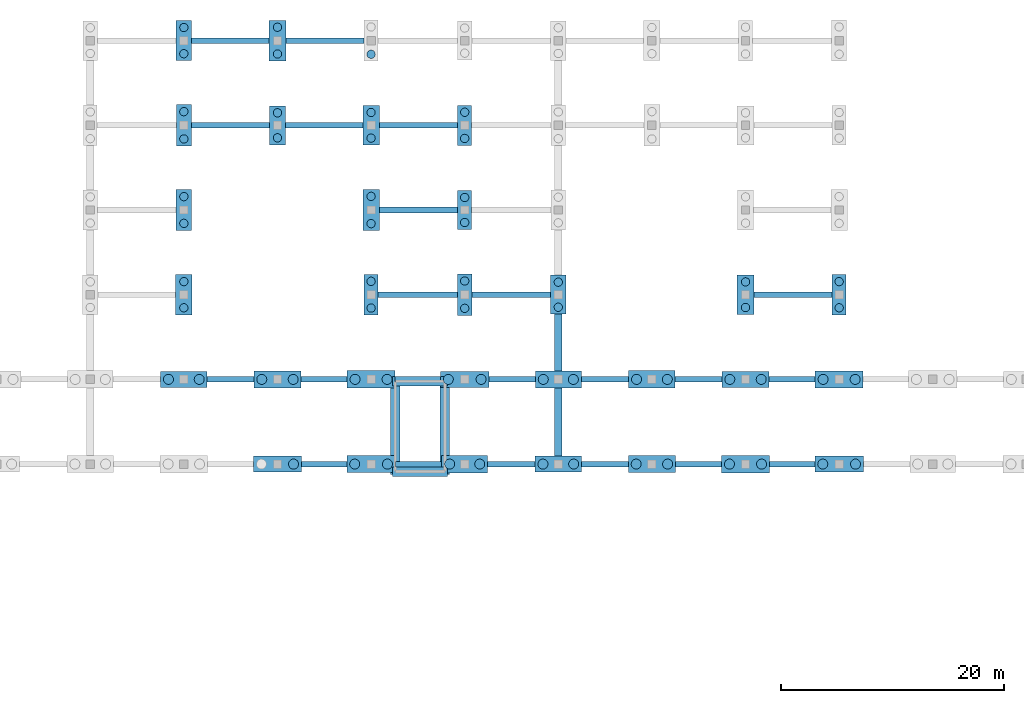
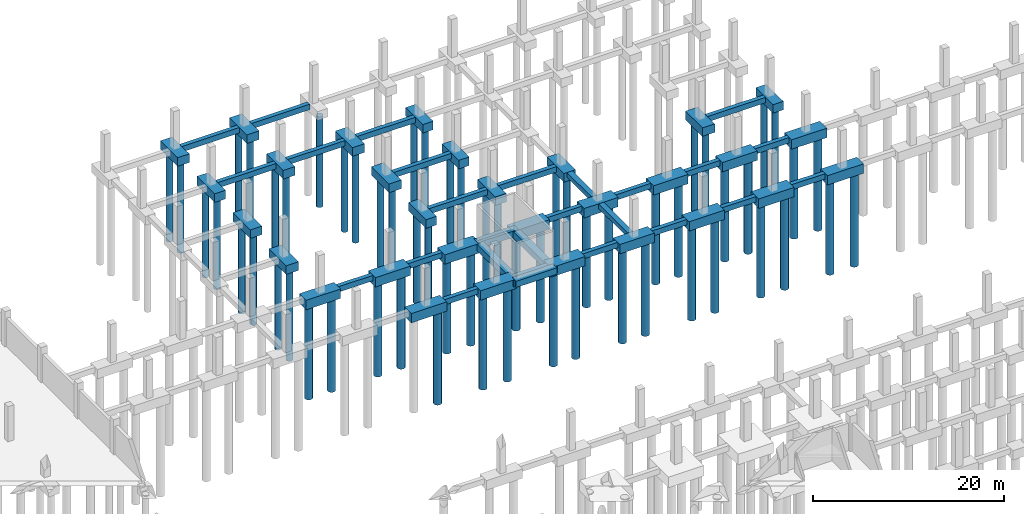
# One storey, part 7 of 22: 60 piles, 58 footings.
"""IFC4 building model written with IfcOpenShell, lengths in metres."""

from ifc_helpers import new_model, si_unit, direction, frame, origin, origin_2d, place, context, subcontext, project, spatial, rectangle, circle, extrude, material, material_profile, profile_set, type_object, element, save


model = new_model("IFC4")

# Units and contexts
model_context = context("Model", 3, precision=1e-05, world=origin(), true_north=direction((0.0, 1.0)))
body_context = subcontext(model_context, "Body", "Model", "MODEL_VIEW")
ifc_project = project(units=[si_unit("LENGTHUNIT", "METRE"), si_unit("AREAUNIT", "SQUARE_METRE"), si_unit("VOLUMEUNIT", "CUBIC_METRE"), si_unit("PLANEANGLEUNIT", "RADIAN"), si_unit("MASSUNIT", "GRAM", prefix="KILO")], contexts=[model_context])

# Site, building, storey
site_placement = place(None, origin())
site = spatial("IfcSite", under=ifc_project, at=site_placement, CompositionType="ELEMENT")
building_placement = place(site_placement, origin())
building = spatial("IfcBuilding", under=site, at=building_placement, Name="Zuvorla Pavilion Media Centre", CompositionType="ELEMENT")
storey_placement = place(building_placement, frame((0.0, 0.0, -4.5)))
storey = spatial("IfcBuildingStorey", under=building, at=storey_placement, Name="B01", CompositionType="ELEMENT", Elevation=-4.5)

# Footings
ifc_material = material(Name="Concrete C40/50", Category="concrete")
footing_type_1 = type_object("IfcFootingType", Name="FT-GB56", PredefinedType="FOOTING_BEAM", material=ifc_material)
footing_1_placement = place(storey_placement, frame((87.784912109375, 82.0, -1.10009765625), z_axis=(0.0, 0.0, 1.0), x_axis=(1.0, 0.0, 0.0)))
element("IfcFooting", 1, at=footing_1_placement, inside=storey, type_object=footing_type_1, Name="Ground beam GB56 136", PredefinedType="FOOTING_BEAM", context=body_context, shape_type="SweptSolid", body=[
    extrude(rectangle(XDim=4.070068359375, YDim=0.5, at=origin_2d()), origin(), (0.0, 0.0, 1.0), 0.699951171875),
])
footing_2_placement = place(storey_placement, frame((96.260009765625, 82.0, -1.10009765625), z_axis=(0.0, 0.0, 1.0), x_axis=(1.0, 0.0, 0.0)))
element("IfcFooting", 2, at=footing_2_placement, inside=storey, type_object=footing_type_1, Name="Ground beam GB56 137", PredefinedType="FOOTING_BEAM", context=body_context, shape_type="SweptSolid", body=[
    extrude(rectangle(XDim=4.159912109375, YDim=0.5, at=origin_2d()), origin(), (0.0, 0.0, 1.0), 0.699951171875),
])
footing_3_placement = place(storey_placement, frame((104.5849609375, 82.0, -1.10009765625), z_axis=(0.0, 0.0, 1.0), x_axis=(1.0, 0.0, 0.0)))
element("IfcFooting", 3, at=footing_3_placement, inside=storey, type_object=footing_type_1, Name="Ground beam GB56 138", PredefinedType="FOOTING_BEAM", context=body_context, shape_type="SweptSolid", body=[
    extrude(rectangle(XDim=4.25, YDim=0.5, at=origin_2d()), origin(), (0.0, 0.0, 1.0), 0.699951171875),
])
footing_4_placement = place(storey_placement, frame((112.985107421875, 82.0, -1.10009765625), z_axis=(0.0, 0.0, 1.0), x_axis=(1.0, 0.0, 0.0)))
element("IfcFooting", 4, at=footing_4_placement, inside=storey, type_object=footing_type_1, Name="Ground beam GB56 139", PredefinedType="FOOTING_BEAM", context=body_context, shape_type="SweptSolid", body=[
    extrude(rectangle(XDim=4.18994140625, YDim=0.5, at=origin_2d()), origin(), (0.0, 0.0, 1.0), 0.699951171875),
])
footing_5_placement = place(storey_placement, frame((121.385009765625, 82.0, -1.10009765625), z_axis=(0.0, 0.0, 1.0), x_axis=(1.0, 0.0, 0.0)))
element("IfcFooting", 5, at=footing_5_placement, inside=storey, type_object=footing_type_1, Name="Ground beam GB56 140", PredefinedType="FOOTING_BEAM", context=body_context, shape_type="SweptSolid", body=[
    extrude(rectangle(XDim=4.1298828125, YDim=0.5, at=origin_2d()), origin(), (0.0, 0.0, 1.0), 0.699951171875),
])
footing_6_placement = place(storey_placement, frame((129.784912109375, 82.0, -1.10009765625), z_axis=(0.0, 0.0, 1.0), x_axis=(1.0, 0.0, 0.0)))
element("IfcFooting", 6, at=footing_6_placement, inside=storey, type_object=footing_type_1, Name="Ground beam GB56 141", PredefinedType="FOOTING_BEAM", context=body_context, shape_type="SweptSolid", body=[
    extrude(rectangle(XDim=4.070068359375, YDim=0.5, at=origin_2d()), origin(), (0.0, 0.0, 1.0), 0.699951171875),
])
footing_7_placement = place(storey_placement, frame((79.385009765625, 89.60009765625, -1.10009765625), z_axis=(0.0, 0.0, 1.0), x_axis=(1.0, 0.0, 0.0)))
element("IfcFooting", 7, at=footing_7_placement, inside=storey, type_object=footing_type_1, Name="Ground beam GB56 153", PredefinedType="FOOTING_BEAM", context=body_context, shape_type="SweptSolid", body=[
    extrude(rectangle(XDim=4.18994140625, YDim=0.5, at=origin_2d()), origin(), (0.0, 0.0, 1.0), 0.699951171875),
])
footing_8_placement = place(storey_placement, frame((87.784912109375, 89.60009765625, -1.10009765625), z_axis=(0.0, 0.0, 1.0), x_axis=(1.0, 0.0, 0.0)))
element("IfcFooting", 8, at=footing_8_placement, inside=storey, type_object=footing_type_1, Name="Ground beam GB56 154", PredefinedType="FOOTING_BEAM", context=body_context, shape_type="SweptSolid", body=[
    extrude(rectangle(XDim=4.1298828125, YDim=0.5, at=origin_2d()), origin(), (0.0, 0.0, 1.0), 0.699951171875),
])
footing_9_placement = place(storey_placement, frame((96.18505859375, 89.60009765625, -1.10009765625), z_axis=(0.0, 0.0, 1.0), x_axis=(1.0, 0.0, 0.0)))
element("IfcFooting", 9, at=footing_9_placement, inside=storey, type_object=footing_type_1, Name="Ground beam GB56 155", PredefinedType="FOOTING_BEAM", context=body_context, shape_type="SweptSolid", body=[
    extrude(rectangle(XDim=4.070068359375, YDim=0.5, at=origin_2d()), origin(), (0.0, 0.0, 1.0), 0.699951171875),
])
footing_10_placement = place(storey_placement, frame((104.659912109375, 89.60009765625, -1.10009765625), z_axis=(0.0, 0.0, 1.0), x_axis=(1.0, 0.0, 0.0)))
element("IfcFooting", 10, at=footing_10_placement, inside=storey, type_object=footing_type_1, Name="Ground beam GB56 156", PredefinedType="FOOTING_BEAM", context=body_context, shape_type="SweptSolid", body=[
    extrude(rectangle(XDim=4.159912109375, YDim=0.5, at=origin_2d()), origin(), (0.0, 0.0, 1.0), 0.699951171875),
])
footing_11_placement = place(storey_placement, frame((112.985107421875, 89.60009765625, -1.10009765625), z_axis=(0.0, 0.0, 1.0), x_axis=(1.0, 0.0, 0.0)))
element("IfcFooting", 11, at=footing_11_placement, inside=storey, type_object=footing_type_1, Name="Ground beam GB56 157", PredefinedType="FOOTING_BEAM", context=body_context, shape_type="SweptSolid", body=[
    extrude(rectangle(XDim=4.25, YDim=0.5, at=origin_2d()), origin(), (0.0, 0.0, 1.0), 0.699951171875),
])
footing_12_placement = place(storey_placement, frame((121.385009765625, 89.60009765625, -1.10009765625), z_axis=(0.0, 0.0, 1.0), x_axis=(1.0, 0.0, 0.0)))
element("IfcFooting", 12, at=footing_12_placement, inside=storey, type_object=footing_type_1, Name="Ground beam GB56 158", PredefinedType="FOOTING_BEAM", context=body_context, shape_type="SweptSolid", body=[
    extrude(rectangle(XDim=4.18994140625, YDim=0.5, at=origin_2d()), origin(), (0.0, 0.0, 1.0), 0.699951171875),
])
footing_13_placement = place(storey_placement, frame((129.784912109375, 89.60009765625, -1.10009765625), z_axis=(0.0, 0.0, 1.0), x_axis=(1.0, 0.0, 0.0)))
element("IfcFooting", 13, at=footing_13_placement, inside=storey, type_object=footing_type_1, Name="Ground beam GB56 159", PredefinedType="FOOTING_BEAM", context=body_context, shape_type="SweptSolid", body=[
    extrude(rectangle(XDim=4.1298828125, YDim=0.5, at=origin_2d()), origin(), (0.0, 0.0, 1.0), 0.699951171875),
])
footing_14_placement = place(storey_placement, frame((96.179931640625, 97.199951171875, -1.10009765625), z_axis=(0.0, 0.0, 1.0), x_axis=(1.0, 0.0, 0.0)))
element("IfcFooting", 14, at=footing_14_placement, inside=storey, type_object=footing_type_1, Name="Ground beam GB56 167", PredefinedType="FOOTING_BEAM", context=body_context, shape_type="SweptSolid", body=[
    extrude(rectangle(XDim=7.110107421875, YDim=0.5, at=origin_2d()), origin(), (0.0, 0.0, 1.0), 0.699951171875),
])
for number, where, z_axis, x_axis, name in (
    (15, (104.580078125, 97.199951171875, -1.10009765625), (0.0, 0.0, 1.0), (1.0, 0.0, 0.0), "Ground beam GB56 168"),
    (16, (129.860107421875, 97.199951171875, -1.10009765625), (0.0, 0.0, 1.0), (1.0, 0.0, 0.0), "Ground beam GB56 169"),
    (17, (96.260009765625, 104.800048828125, -1.10009765625), (0.0, 0.0, 1.0), (1.0, 0.0, 0.0), "Ground beam GB56 174"),
    (18, (79.3798828125, 112.39990234375, -1.10009765625), (0.0, 0.0, 1.0), (1.0, 0.0, 0.0), "Ground beam GB56 181"),
):
    element("IfcFooting", number, at=place(storey_placement, frame(where, z_axis=z_axis, x_axis=x_axis)), inside=storey, type_object=footing_type_1, Name=name, PredefinedType="FOOTING_BEAM", context=body_context, shape_type="SweptSolid", body=[
        extrude(rectangle(XDim=7.030029296875, YDim=0.5, at=origin_2d()), origin(), (0.0, 0.0, 1.0), 0.699951171875),
    ])
footing_15_placement = place(storey_placement, frame((87.780029296875, 112.39990234375, -1.10009765625), z_axis=(0.0, 0.0, 1.0), x_axis=(1.0, 0.0, 0.0)))
element("IfcFooting", 19, at=footing_15_placement, inside=storey, type_object=footing_type_1, Name="Ground beam GB56 182", PredefinedType="FOOTING_BEAM", context=body_context, shape_type="SweptSolid", body=[
    extrude(rectangle(XDim=6.949951171875, YDim=0.5, at=origin_2d()), origin(), (0.0, 0.0, 1.0), 0.699951171875),
])
footing_16_placement = place(storey_placement, frame((96.260009765625, 112.39990234375, -1.10009765625), z_axis=(0.0, 0.0, 1.0), x_axis=(1.0, 0.0, 0.0)))
element("IfcFooting", 20, at=footing_16_placement, inside=storey, type_object=footing_type_1, Name="Ground beam GB56 183", PredefinedType="FOOTING_BEAM", context=body_context, shape_type="SweptSolid", body=[
    extrude(rectangle(XDim=7.030029296875, YDim=0.5, at=origin_2d()), origin(), (0.0, 0.0, 1.0), 0.699951171875),
])
footing_17_placement = place(storey_placement, frame((79.3798828125, 120.0, -1.10009765625), z_axis=(0.0, 0.0, 1.0), x_axis=(1.0, 0.0, 0.0)))
element("IfcFooting", 21, at=footing_17_placement, inside=storey, type_object=footing_type_1, Name="Ground beam GB56 192", PredefinedType="FOOTING_BEAM", context=body_context, shape_type="SweptSolid", body=[
    extrude(rectangle(XDim=6.949951171875, YDim=0.5, at=origin_2d()), origin(), (0.0, 0.0, 1.0), 0.699951171875),
])
footing_18_placement = place(storey_placement, frame((87.860107421875, 120.0, -1.10009765625), z_axis=(0.0, 0.0, 1.0), x_axis=(1.0, 0.0, 0.0)))
element("IfcFooting", 22, at=footing_18_placement, inside=storey, type_object=footing_type_1, Name="Ground beam GB56 193", PredefinedType="FOOTING_BEAM", context=body_context, shape_type="SweptSolid", body=[
    extrude(rectangle(XDim=7.030029296875, YDim=0.5, at=origin_2d()), origin(), (0.0, 0.0, 1.0), 0.699951171875),
])
footing_type_2 = type_object("IfcFootingType", Name="FT-PC03", PredefinedType="PILE_CAP", material=ifc_material)
footing_19_placement = place(storey_placement, frame((75.199951171875, 120.0, -1.5), z_axis=(0.0, 0.0, 1.0), x_axis=(1.0, 0.0, 0.0)))
element("IfcFooting", 23, at=footing_19_placement, inside=storey, type_object=footing_type_2, Name="Pile cap PC03", PredefinedType="PILE_CAP", context=body_context, shape_type="SweptSolid", body=[
    extrude(rectangle(XDim=1.409912109375, YDim=3.60009765625, at=origin_2d()), origin(), (0.0, 0.0, 1.0), 1.10009765625),
])
footing_type_3 = type_object("IfcFootingType", Name="FT-PC04", PredefinedType="PILE_CAP", material=ifc_material)
footing_20_placement = place(storey_placement, frame((83.60009765625, 120.0, -1.5), z_axis=(0.0, 0.0, 1.0), x_axis=(1.0, 0.0, 0.0)))
element("IfcFooting", 24, at=footing_20_placement, inside=storey, type_object=footing_type_3, Name="Pile cap PC04", PredefinedType="PILE_CAP", context=body_context, shape_type="SweptSolid", body=[
    extrude(rectangle(XDim=1.489990234375, YDim=3.64990234375, at=origin_2d()), origin(), (0.0, 0.0, 1.0), 1.10009765625),
])
footing_type_4 = type_object("IfcFootingType", Name="FT-PC05", PredefinedType="PILE_CAP", material=ifc_material)
footing_21_placement = place(storey_placement, frame((92.0, 82.0, -1.60009765625), z_axis=(0.0, 0.0, 1.0), x_axis=(1.0, 0.0, 0.0)))
element("IfcFooting", 25, at=footing_21_placement, inside=storey, type_object=footing_type_4, Name="Pile cap PC05", PredefinedType="PILE_CAP", context=body_context, shape_type="SweptSolid", body=[
    extrude(rectangle(XDim=4.360107421875, YDim=1.5, at=origin_2d()), origin(), (0.0, 0.0, 1.0), 1.199951171875),
])
footing_type_5 = type_object("IfcFootingType", Name="FT-PC06", PredefinedType="PILE_CAP", material=ifc_material)
footing_22_placement = place(storey_placement, frame((100.39990234375, 82.0, -1.60009765625), z_axis=(0.0, 0.0, 1.0), x_axis=(1.0, 0.0, 0.0)))
element("IfcFooting", 26, at=footing_22_placement, inside=storey, type_object=footing_type_5, Name="Pile cap PC06", PredefinedType="PILE_CAP", context=body_context, shape_type="SweptSolid", body=[
    extrude(rectangle(XDim=4.1201171875, YDim=1.580078125, at=origin_2d()), origin(), (0.0, 0.0, 1.0), 1.199951171875),
])
footing_type_6 = type_object("IfcFootingType", Name="FT-PC07", PredefinedType="PILE_CAP", material=ifc_material)
for number, where, z_axis, x_axis, name in (
    (27, (108.800048828125, 82.0, -1.60009765625), (0.0, 0.0, 1.0), (1.0, 0.0, 0.0), "Pile cap PC07"),
    (28, (75.199951171875, 89.60009765625, -1.60009765625), (0.0, 0.0, 1.0), (1.0, 0.0, 0.0), "Pile cap PC07"),
):
    element("IfcFooting", number, at=place(storey_placement, frame(where, z_axis=z_axis, x_axis=x_axis)), inside=storey, type_object=footing_type_6, Name=name, PredefinedType="PILE_CAP", context=body_context, shape_type="SweptSolid", body=[
        extrude(rectangle(XDim=4.179931640625, YDim=1.419921875, at=origin_2d()), origin(), (0.0, 0.0, 1.0), 1.199951171875),
    ])
footing_type_7 = type_object("IfcFootingType", Name="FT-PC13", PredefinedType="PILE_CAP", material=ifc_material)
footing_23_placement = place(storey_placement, frame((125.60009765625, 89.60009765625, -1.60009765625), z_axis=(0.0, 0.0, 1.0), x_axis=(1.0, 0.0, 0.0)))
element("IfcFooting", 29, at=footing_23_placement, inside=storey, type_object=footing_type_7, Name="Pile cap PC13", PredefinedType="PILE_CAP", context=body_context, shape_type="SweptSolid", body=[
    extrude(rectangle(XDim=4.239990234375, YDim=1.419921875, at=origin_2d()), origin(), (0.0, 0.0, 1.0), 1.199951171875),
])
footing_type_8 = type_object("IfcFootingType", Name="FT-PC14", PredefinedType="PILE_CAP", material=ifc_material)
footing_24_placement = place(storey_placement, frame((134.0, 89.60009765625, -1.60009765625), z_axis=(0.0, 0.0, 1.0), x_axis=(1.0, 0.0, 0.0)))
element("IfcFooting", 30, at=footing_24_placement, inside=storey, type_object=footing_type_8, Name="Pile cap PC14", PredefinedType="PILE_CAP", context=body_context, shape_type="SweptSolid", body=[
    extrude(rectangle(XDim=4.300048828125, YDim=1.5, at=origin_2d()), origin(), (0.0, 0.0, 1.0), 1.199951171875),
])
footing_type_9 = type_object("IfcFootingType", Name="FT-PC23", PredefinedType="PILE_CAP", material=ifc_material)
for number, where, z_axis, x_axis, name in (
    (31, (134.0, 82.0, -1.60009765625), (0.0, 0.0, 1.0), (1.0, 0.0, 0.0), "Pile cap PC23"),
    (32, (100.39990234375, 89.60009765625, -1.60009765625), (0.0, 0.0, 1.0), (1.0, 0.0, 0.0), "Pile cap PC23"),
):
    element("IfcFooting", number, at=place(storey_placement, frame(where, z_axis=z_axis, x_axis=x_axis)), inside=storey, type_object=footing_type_9, Name=name, PredefinedType="PILE_CAP", context=body_context, shape_type="SweptSolid", body=[
        extrude(rectangle(XDim=4.360107421875, YDim=1.419921875, at=origin_2d()), origin(), (0.0, 0.0, 1.0), 1.199951171875),
    ])
footing_type_10 = type_object("IfcFootingType", Name="FT-PC24", PredefinedType="PILE_CAP", material=ifc_material)
footing_25_placement = place(storey_placement, frame((108.800048828125, 89.60009765625, -1.60009765625), z_axis=(0.0, 0.0, 1.0), x_axis=(1.0, 0.0, 0.0)))
element("IfcFooting", 33, at=footing_25_placement, inside=storey, type_object=footing_type_10, Name="Pile cap PC24", PredefinedType="PILE_CAP", context=body_context, shape_type="SweptSolid", body=[
    extrude(rectangle(XDim=4.1201171875, YDim=1.5, at=origin_2d()), origin(), (0.0, 0.0, 1.0), 1.199951171875),
])
footing_type_11 = type_object("IfcFootingType", Name="FT-PC25", PredefinedType="PILE_CAP", material=ifc_material)
footing_26_placement = place(storey_placement, frame((117.199951171875, 89.60009765625, -1.60009765625), z_axis=(0.0, 0.0, 1.0), x_axis=(1.0, 0.0, 0.0)))
element("IfcFooting", 34, at=footing_26_placement, inside=storey, type_object=footing_type_11, Name="Pile cap PC25", PredefinedType="PILE_CAP", context=body_context, shape_type="SweptSolid", body=[
    extrude(rectangle(XDim=4.179931640625, YDim=1.580078125, at=origin_2d()), origin(), (0.0, 0.0, 1.0), 1.199951171875),
])
footing_type_12 = type_object("IfcFootingType", Name="FT-PC30", PredefinedType="PILE_CAP", material=ifc_material)
footing_27_placement = place(storey_placement, frame((83.60009765625, 82.0, -1.60009765625), z_axis=(0.0, 0.0, 1.0), x_axis=(1.0, 0.0, 0.0)))
element("IfcFooting", 35, at=footing_27_placement, inside=storey, type_object=footing_type_12, Name="Pile cap PC30", PredefinedType="PILE_CAP", context=body_context, shape_type="SweptSolid", body=[
    extrude(rectangle(XDim=4.300048828125, YDim=1.419921875, at=origin_2d()), origin(), (0.0, 0.0, 1.0), 1.199951171875),
])
footing_type_13 = type_object("IfcFootingType", Name="FT-PC31", PredefinedType="PILE_CAP", material=ifc_material)
for number, where, z_axis, x_axis, name in (
    (36, (117.199951171875, 82.0, -1.60009765625), (0.0, 0.0, 1.0), (1.0, 0.0, 0.0), "Pile cap PC31"),
    (37, (83.60009765625, 89.60009765625, -1.60009765625), (0.0, 0.0, 1.0), (1.0, 0.0, 0.0), "Pile cap PC31"),
):
    element("IfcFooting", number, at=place(storey_placement, frame(where, z_axis=z_axis, x_axis=x_axis)), inside=storey, type_object=footing_type_13, Name=name, PredefinedType="PILE_CAP", context=body_context, shape_type="SweptSolid", body=[
        extrude(rectangle(XDim=4.239990234375, YDim=1.5, at=origin_2d()), origin(), (0.0, 0.0, 1.0), 1.199951171875),
    ])
footing_type_14 = type_object("IfcFootingType", Name="FT-PC37", PredefinedType="PILE_CAP", material=ifc_material)
for number, where, z_axis, x_axis, name in (
    (38, (125.60009765625, 82.0, -1.60009765625), (0.0, 0.0, 1.0), (1.0, 0.0, 0.0), "Pile cap PC37"),
    (39, (92.0, 89.60009765625, -1.60009765625), (0.0, 0.0, 1.0), (1.0, 0.0, 0.0), "Pile cap PC37"),
):
    element("IfcFooting", number, at=place(storey_placement, frame(where, z_axis=z_axis, x_axis=x_axis)), inside=storey, type_object=footing_type_14, Name=name, PredefinedType="PILE_CAP", context=body_context, shape_type="SweptSolid", body=[
        extrude(rectangle(XDim=4.300048828125, YDim=1.580078125, at=origin_2d()), origin(), (0.0, 0.0, 1.0), 1.199951171875),
    ])
footing_type_15 = type_object("IfcFootingType", Name="FT-PC38", PredefinedType="PILE_CAP", material=ifc_material)
footing_28_placement = place(storey_placement, frame((75.199951171875, 104.800048828125, -1.5), z_axis=(0.0, 0.0, 1.0), x_axis=(1.0, 0.0, 0.0)))
element("IfcFooting", 40, at=footing_28_placement, inside=storey, type_object=footing_type_15, Name="Pile cap PC38", PredefinedType="PILE_CAP", context=body_context, shape_type="SweptSolid", body=[
    extrude(rectangle(XDim=1.409912109375, YDim=3.64990234375, at=origin_2d()), origin(), (0.0, 0.0, 1.0), 1.10009765625),
])
footing_type_16 = type_object("IfcFootingType", Name="FT-PC39", PredefinedType="PILE_CAP", material=ifc_material)
footing_29_placement = place(storey_placement, frame((92.0, 104.800048828125, -1.5), z_axis=(0.0, 0.0, 1.0), x_axis=(1.0, 0.0, 0.0)))
element("IfcFooting", 41, at=footing_29_placement, inside=storey, type_object=footing_type_16, Name="Pile cap PC39", PredefinedType="PILE_CAP", context=body_context, shape_type="SweptSolid", body=[
    extrude(rectangle(XDim=1.489990234375, YDim=3.699951171875, at=origin_2d()), origin(), (0.0, 0.0, 1.0), 1.10009765625),
])
footing_type_17 = type_object("IfcFootingType", Name="FT-PC42", PredefinedType="PILE_CAP", material=ifc_material)
footing_30_placement = place(storey_placement, frame((92.0, 97.199951171875, -1.5), z_axis=(0.0, 0.0, 1.0), x_axis=(1.0, 0.0, 0.0)))
element("IfcFooting", 42, at=footing_30_placement, inside=storey, type_object=footing_type_17, Name="Pile cap PC42", PredefinedType="PILE_CAP", context=body_context, shape_type="SweptSolid", body=[
    extrude(rectangle(XDim=1.25, YDim=3.64990234375, at=origin_2d()), origin(), (0.0, 0.0, 1.0), 1.10009765625),
])
footing_type_18 = type_object("IfcFootingType", Name="FT-PC43", PredefinedType="PILE_CAP", material=ifc_material)
for number, where, z_axis, x_axis, name in (
    (43, (100.39990234375, 97.199951171875, -1.5), (0.0, 0.0, 1.0), (1.0, 0.0, 0.0), "Pile cap PC43"),
    (44, (75.199951171875, 112.39990234375, -1.5), (0.0, 0.0, 1.0), (1.0, 0.0, 0.0), "Pile cap PC43"),
):
    element("IfcFooting", number, at=place(storey_placement, frame(where, z_axis=z_axis, x_axis=x_axis)), inside=storey, type_object=footing_type_18, Name=name, PredefinedType="PILE_CAP", context=body_context, shape_type="SweptSolid", body=[
        extrude(rectangle(XDim=1.330078125, YDim=3.699951171875, at=origin_2d()), origin(), (0.0, 0.0, 1.0), 1.10009765625),
    ])
footing_type_19 = type_object("IfcFootingType", Name="FT-PC44", PredefinedType="PILE_CAP", material=ifc_material)
for number, where, z_axis, x_axis, name in (
    (45, (108.800048828125, 97.199951171875, -1.5), (0.0, 0.0, 1.0), (1.0, 0.0, 0.0), "Pile cap PC44"),
    (46, (83.60009765625, 112.39990234375, -1.5), (0.0, 0.0, 1.0), (1.0, 0.0, 0.0), "Pile cap PC44"),
):
    element("IfcFooting", number, at=place(storey_placement, frame(where, z_axis=z_axis, x_axis=x_axis)), inside=storey, type_object=footing_type_19, Name=name, PredefinedType="PILE_CAP", context=body_context, shape_type="SweptSolid", body=[
        extrude(rectangle(XDim=1.409912109375, YDim=3.5, at=origin_2d()), origin(), (0.0, 0.0, 1.0), 1.10009765625),
    ])
footing_type_20 = type_object("IfcFootingType", Name="FT-PC51", PredefinedType="PILE_CAP", material=ifc_material)
footing_31_placement = place(storey_placement, frame((75.199951171875, 97.199951171875, -1.5), z_axis=(0.0, 0.0, 1.0), x_axis=(1.0, 0.0, 0.0)))
element("IfcFooting", 47, at=footing_31_placement, inside=storey, type_object=footing_type_20, Name="Pile cap PC51", PredefinedType="PILE_CAP", context=body_context, shape_type="SweptSolid", body=[
    extrude(rectangle(XDim=1.489990234375, YDim=3.60009765625, at=origin_2d()), origin(), (0.0, 0.0, 1.0), 1.10009765625),
])
footing_type_21 = type_object("IfcFootingType", Name="FT-PC52", PredefinedType="PILE_CAP", material=ifc_material)
for number, where, z_axis, x_axis, name in (
    (48, (125.60009765625, 97.199951171875, -1.5), (0.0, 0.0, 1.0), (1.0, 0.0, 0.0), "Pile cap PC52"),
    (49, (92.0, 112.39990234375, -1.5), (0.0, 0.0, 1.0), (1.0, 0.0, 0.0), "Pile cap PC52"),
):
    element("IfcFooting", number, at=place(storey_placement, frame(where, z_axis=z_axis, x_axis=x_axis)), inside=storey, type_object=footing_type_21, Name=name, PredefinedType="PILE_CAP", context=body_context, shape_type="SweptSolid", body=[
        extrude(rectangle(XDim=1.489990234375, YDim=3.550048828125, at=origin_2d()), origin(), (0.0, 0.0, 1.0), 1.10009765625),
    ])
footing_type_22 = type_object("IfcFootingType", Name="FT-PC53", PredefinedType="PILE_CAP", material=ifc_material)
for number, where, z_axis, x_axis, name in (
    (50, (134.0, 97.199951171875, -1.5), (0.0, 0.0, 1.0), (1.0, 0.0, 0.0), "Pile cap PC53"),
    (51, (100.39990234375, 112.39990234375, -1.5), (0.0, 0.0, 1.0), (1.0, 0.0, 0.0), "Pile cap PC53"),
):
    element("IfcFooting", number, at=place(storey_placement, frame(where, z_axis=z_axis, x_axis=x_axis)), inside=storey, type_object=footing_type_22, Name=name, PredefinedType="PILE_CAP", context=body_context, shape_type="SweptSolid", body=[
        extrude(rectangle(XDim=1.25, YDim=3.60009765625, at=origin_2d()), origin(), (0.0, 0.0, 1.0), 1.10009765625),
    ])
footing_type_23 = type_object("IfcFootingType", Name="FT-PC55", PredefinedType="PILE_CAP", material=ifc_material)
footing_32_placement = place(storey_placement, frame((100.39990234375, 104.800048828125, -1.5), z_axis=(0.0, 0.0, 1.0), x_axis=(1.0, 0.0, 0.0)))
element("IfcFooting", 52, at=footing_32_placement, inside=storey, type_object=footing_type_23, Name="Pile cap PC55", PredefinedType="PILE_CAP", context=body_context, shape_type="SweptSolid", body=[
    extrude(rectangle(XDim=1.25, YDim=3.5, at=origin_2d()), origin(), (0.0, 0.0, 1.0), 1.10009765625),
])
footing_type_24 = type_object("IfcFootingType", Name="FT-SF-COR", PredefinedType="STRIP_FOOTING", material=ifc_material)
footing_33_placement = place(storey_placement, frame((96.39990234375, 81.324951171875, -1.2001953125), z_axis=(0.0, 0.0, 1.0), x_axis=(1.0, 0.0, 0.0)))
element("IfcFooting", 53, at=footing_33_placement, inside=storey, type_object=footing_type_24, Name="Core C5 strip footing 1", PredefinedType="STRIP_FOOTING", context=body_context, shape_type="SweptSolid", body=[
    extrude(rectangle(XDim=4.949951171875, YDim=0.85009765625, at=origin_2d()), origin(), (0.0, 0.0, 1.0), 0.800048828125),
])
footing_34_placement = place(storey_placement, frame((98.625, 85.375, -1.2001953125), z_axis=(0.0, 0.0, 1.0), x_axis=(0.0, 1.0, 0.0)))
element("IfcFooting", 54, at=footing_34_placement, inside=storey, type_object=footing_type_24, Name="Core C5 strip footing 2", PredefinedType="STRIP_FOOTING", context=body_context, shape_type="SweptSolid", body=[
    extrude(rectangle(XDim=8.60009765625, YDim=0.85009765625, at=origin_2d()), origin(), (0.0, 0.0, 1.0), 0.800048828125),
])
footing_35_placement = place(storey_placement, frame((96.39990234375, 89.425048828125, -1.2001953125), z_axis=(0.0, 0.0, 1.0), x_axis=(-1.0, 0.0, 0.0)))
element("IfcFooting", 55, at=footing_35_placement, inside=storey, type_object=footing_type_24, Name="Core C5 strip footing 3", PredefinedType="STRIP_FOOTING", context=body_context, shape_type="SweptSolid", body=[
    extrude(rectangle(XDim=4.949951171875, YDim=0.85009765625, at=origin_2d()), origin(), (0.0, 0.0, 1.0), 0.800048828125),
])
footing_36_placement = place(storey_placement, frame((94.175048828125, 85.375, -1.2001953125), z_axis=(0.0, 0.0, 1.0), x_axis=(0.0, -1.0, 0.0)))
element("IfcFooting", 56, at=footing_36_placement, inside=storey, type_object=footing_type_24, Name="Core C5 strip footing 4", PredefinedType="STRIP_FOOTING", context=body_context, shape_type="SweptSolid", body=[
    extrude(rectangle(XDim=8.60009765625, YDim=0.85009765625, at=origin_2d()), origin(), (0.0, 0.0, 1.0), 0.800048828125),
])
footing_type_25 = type_object("IfcFootingType", Name="FT-SF57", PredefinedType="STRIP_FOOTING", material=ifc_material)
footing_37_placement = place(storey_placement, frame((108.800048828125, 85.780029296875, -1.0), z_axis=(0.0, 0.0, 1.0), x_axis=(0.0, 1.0, 0.0)))
element("IfcFooting", 57, at=footing_37_placement, inside=storey, type_object=footing_type_25, Name="Strip footing SF57 44", PredefinedType="STRIP_FOOTING", context=body_context, shape_type="SweptSolid", body=[
    extrude(rectangle(XDim=6.139892578125, YDim=0.64990234375, at=origin_2d()), origin(), (0.0, 0.0, 1.0), 0.60009765625),
])
footing_38_placement = place(storey_placement, frame((108.800048828125, 92.89990234375, -1.0), z_axis=(0.0, 0.0, 1.0), x_axis=(0.0, 1.0, 0.0)))
element("IfcFooting", 58, at=footing_38_placement, inside=storey, type_object=footing_type_25, Name="Strip footing SF57 45", PredefinedType="STRIP_FOOTING", context=body_context, shape_type="SweptSolid", body=[
    extrude(rectangle(XDim=5.10009765625, YDim=0.64990234375, at=origin_2d()), origin(), (0.0, 0.0, 1.0), 0.60009765625),
])

# Piles
ifc_material_profile_1 = material_profile(ifc_material, circle(Radius=0.375, at=origin_2d()), Name="BORED PILE 750")
ifc_profile_set_1 = profile_set([ifc_material_profile_1], Name="Concrete C40/50")
pile_type_1 = type_object("IfcPileType", Name="PIL-D750", PredefinedType="BORED", material=ifc_profile_set_1)
for number, where, z_axis, x_axis, name in (
    (59, (75.199951171875, 96.02490234375, -1.39990234375), (0.0, 0.0, -1.0), (1.0, 0.0, 0.0), "Bored pile P75 437"),
    (60, (75.199951171875, 98.375, -1.39990234375), (0.0, 0.0, -1.0), (1.0, 0.0, 0.0), "Bored pile P75 438"),
    (61, (92.0, 96.0, -1.39990234375), (0.0, 0.0, -1.0), (1.0, 0.0, 0.0), "Bored pile P75 439"),
    (62, (92.0, 98.39990234375, -1.39990234375), (0.0, 0.0, -1.0), (1.0, 0.0, 0.0), "Bored pile P75 440"),
    (63, (100.39990234375, 95.97509765625, -1.39990234375), (0.0, 0.0, -1.0), (1.0, 0.0, 0.0), "Bored pile P75 441"),
    (64, (100.39990234375, 98.425048828125, -1.39990234375), (0.0, 0.0, -1.0), (1.0, 0.0, 0.0), "Bored pile P75 442"),
    (65, (108.800048828125, 96.074951171875, -1.39990234375), (0.0, 0.0, -1.0), (1.0, 0.0, 0.0), "Bored pile P75 443"),
    (66, (108.800048828125, 98.324951171875, -1.39990234375), (0.0, 0.0, -1.0), (1.0, 0.0, 0.0), "Bored pile P75 444"),
    (67, (125.60009765625, 96.050048828125, -1.39990234375), (0.0, 0.0, -1.0), (1.0, 0.0, 0.0), "Bored pile P75 445"),
    (68, (125.60009765625, 98.35009765625, -1.39990234375), (0.0, 0.0, -1.0), (1.0, 0.0, 0.0), "Bored pile P75 446"),
    (69, (134.0, 96.02490234375, -1.39990234375), (0.0, 0.0, -1.0), (1.0, 0.0, 0.0), "Bored pile P75 447"),
    (70, (134.0, 98.375, -1.39990234375), (0.0, 0.0, -1.0), (1.0, 0.0, 0.0), "Bored pile P75 448"),
    (71, (75.199951171875, 103.60009765625, -1.39990234375), (0.0, 0.0, -1.0), (1.0, 0.0, 0.0), "Bored pile P75 457"),
    (72, (75.199951171875, 106.0, -1.39990234375), (0.0, 0.0, -1.0), (1.0, 0.0, 0.0), "Bored pile P75 458"),
    (73, (92.0, 103.574951171875, -1.39990234375), (0.0, 0.0, -1.0), (1.0, 0.0, 0.0), "Bored pile P75 459"),
    (74, (92.0, 106.02490234375, -1.39990234375), (0.0, 0.0, -1.0), (1.0, 0.0, 0.0), "Bored pile P75 460"),
    (75, (100.39990234375, 103.675048828125, -1.39990234375), (0.0, 0.0, -1.0), (1.0, 0.0, 0.0), "Bored pile P75 461"),
    (76, (100.39990234375, 105.925048828125, -1.39990234375), (0.0, 0.0, -1.0), (1.0, 0.0, 0.0), "Bored pile P75 462"),
    (77, (75.199951171875, 111.175048828125, -1.39990234375), (0.0, 0.0, -1.0), (1.0, 0.0, 0.0), "Bored pile P75 477"),
    (78, (75.199951171875, 113.625, -1.39990234375), (0.0, 0.0, -1.0), (1.0, 0.0, 0.0), "Bored pile P75 478"),
    (79, (83.60009765625, 111.27490234375, -1.39990234375), (0.0, 0.0, -1.0), (1.0, 0.0, 0.0), "Bored pile P75 479"),
    (80, (83.60009765625, 113.52490234375, -1.39990234375), (0.0, 0.0, -1.0), (1.0, 0.0, 0.0), "Bored pile P75 480"),
    (81, (92.0, 111.25, -1.39990234375), (0.0, 0.0, -1.0), (1.0, 0.0, 0.0), "Bored pile P75 481"),
    (82, (92.0, 113.550048828125, -1.39990234375), (0.0, 0.0, -1.0), (1.0, 0.0, 0.0), "Bored pile P75 482"),
    (83, (100.39990234375, 111.22509765625, -1.39990234375), (0.0, 0.0, -1.0), (1.0, 0.0, 0.0), "Bored pile P75 483"),
    (84, (100.39990234375, 113.574951171875, -1.39990234375), (0.0, 0.0, -1.0), (1.0, 0.0, 0.0), "Bored pile P75 484"),
    (85, (75.199951171875, 118.824951171875, -1.39990234375), (0.0, 0.0, -1.0), (1.0, 0.0, 0.0), "Bored pile P75 501"),
    (86, (75.199951171875, 121.175048828125, -1.39990234375), (0.0, 0.0, -1.0), (1.0, 0.0, 0.0), "Bored pile P75 502"),
    (87, (83.60009765625, 118.800048828125, -1.39990234375), (0.0, 0.0, -1.0), (1.0, 0.0, 0.0), "Bored pile P75 503"),
    (88, (83.60009765625, 121.199951171875, -1.39990234375), (0.0, 0.0, -1.0), (1.0, 0.0, 0.0), "Bored pile P75 504"),
    (89, (92.0, 118.77490234375, -1.39990234375), (0.0, 0.0, -1.0), (1.0, 0.0, 0.0), "Bored pile P75 505"),
):
    element("IfcPile", number, at=place(storey_placement, frame(where, z_axis=z_axis, x_axis=x_axis)), inside=storey, type_object=pile_type_1, Name=name, PredefinedType="BORED", context=body_context, shape_type="SweptSolid", body=[
        extrude(circle(Radius=0.375, at=origin_2d()), origin(), (0.0, 0.0, 1.0), 11.60009765625),
    ])
ifc_material_profile_2 = material_profile(ifc_material, circle(Radius=0.449951171875, at=origin_2d()), Name="BORED PILE 900")
ifc_profile_set_2 = profile_set([ifc_material_profile_2], Name="Concrete C40/50")
pile_type_2 = type_object("IfcPileType", Name="PIL-D900", PredefinedType="BORED", material=ifc_profile_set_2)
for number, where, z_axis, x_axis, name in (
    (90, (85.0400390625, 82.0, -1.5), (0.0, 0.0, -1.0), (1.0, 0.0, 0.0), "Bored pile P90 374"),
    (91, (90.530029296875, 82.0, -1.5), (0.0, 0.0, -1.0), (1.0, 0.0, 0.0), "Bored pile P90 375"),
    (92, (93.469970703125, 82.0, -1.5), (0.0, 0.0, -1.0), (1.0, 0.0, 0.0), "Bored pile P90 376"),
    (93, (99.050048828125, 82.0, -1.5), (0.0, 0.0, -1.0), (1.0, 0.0, 0.0), "Bored pile P90 377"),
    (94, (101.75, 82.0, -1.5), (0.0, 0.0, -1.0), (1.0, 0.0, 0.0), "Bored pile P90 378"),
    (95, (107.419921875, 82.0, -1.5), (0.0, 0.0, -1.0), (1.0, 0.0, 0.0), "Bored pile P90 379"),
    (96, (110.179931640625, 82.0, -1.5), (0.0, 0.0, -1.0), (1.0, 0.0, 0.0), "Bored pile P90 380"),
    (97, (115.7900390625, 82.0, -1.5), (0.0, 0.0, -1.0), (1.0, 0.0, 0.0), "Bored pile P90 381"),
    (98, (118.610107421875, 82.0, -1.5), (0.0, 0.0, -1.0), (1.0, 0.0, 0.0), "Bored pile P90 382"),
    (99, (124.159912109375, 82.0, -1.5), (0.0, 0.0, -1.0), (1.0, 0.0, 0.0), "Bored pile P90 383"),
    (100, (127.0400390625, 82.0, -1.5), (0.0, 0.0, -1.0), (1.0, 0.0, 0.0), "Bored pile P90 384"),
    (101, (132.530029296875, 82.0, -1.5), (0.0, 0.0, -1.0), (1.0, 0.0, 0.0), "Bored pile P90 385"),
    (102, (135.469970703125, 82.0, -1.5), (0.0, 0.0, -1.0), (1.0, 0.0, 0.0), "Bored pile P90 386"),
    (103, (73.820068359375, 89.60009765625, -1.5), (0.0, 0.0, -1.0), (1.0, 0.0, 0.0), "Bored pile P90 407"),
    (104, (76.580078125, 89.60009765625, -1.5), (0.0, 0.0, -1.0), (1.0, 0.0, 0.0), "Bored pile P90 408"),
    (105, (82.18994140625, 89.60009765625, -1.5), (0.0, 0.0, -1.0), (1.0, 0.0, 0.0), "Bored pile P90 409"),
    (106, (85.010009765625, 89.60009765625, -1.5), (0.0, 0.0, -1.0), (1.0, 0.0, 0.0), "Bored pile P90 410"),
    (107, (90.56005859375, 89.60009765625, -1.5), (0.0, 0.0, -1.0), (1.0, 0.0, 0.0), "Bored pile P90 411"),
    (108, (93.43994140625, 89.60009765625, -1.5), (0.0, 0.0, -1.0), (1.0, 0.0, 0.0), "Bored pile P90 412"),
    (109, (98.929931640625, 89.60009765625, -1.5), (0.0, 0.0, -1.0), (1.0, 0.0, 0.0), "Bored pile P90 413"),
    (110, (101.8701171875, 89.60009765625, -1.5), (0.0, 0.0, -1.0), (1.0, 0.0, 0.0), "Bored pile P90 414"),
    (111, (107.449951171875, 89.60009765625, -1.5), (0.0, 0.0, -1.0), (1.0, 0.0, 0.0), "Bored pile P90 415"),
    (112, (110.14990234375, 89.60009765625, -1.5), (0.0, 0.0, -1.0), (1.0, 0.0, 0.0), "Bored pile P90 416"),
    (113, (115.820068359375, 89.60009765625, -1.5), (0.0, 0.0, -1.0), (1.0, 0.0, 0.0), "Bored pile P90 417"),
    (114, (118.580078125, 89.60009765625, -1.5), (0.0, 0.0, -1.0), (1.0, 0.0, 0.0), "Bored pile P90 418"),
    (115, (124.18994140625, 89.60009765625, -1.5), (0.0, 0.0, -1.0), (1.0, 0.0, 0.0), "Bored pile P90 419"),
    (116, (127.010009765625, 89.60009765625, -1.5), (0.0, 0.0, -1.0), (1.0, 0.0, 0.0), "Bored pile P90 420"),
    (117, (132.56005859375, 89.60009765625, -1.5), (0.0, 0.0, -1.0), (1.0, 0.0, 0.0), "Bored pile P90 421"),
    (118, (135.43994140625, 89.60009765625, -1.5), (0.0, 0.0, -1.0), (1.0, 0.0, 0.0), "Bored pile P90 422"),
):
    element("IfcPile", number, at=place(storey_placement, frame(where, z_axis=z_axis, x_axis=x_axis)), inside=storey, type_object=pile_type_2, Name=name, PredefinedType="BORED", context=body_context, shape_type="SweptSolid", body=[
        extrude(circle(Radius=0.449951171875, at=origin_2d()), origin(), (0.0, 0.0, 1.0), 12.0),
    ])

save(model, "model.ifc")
